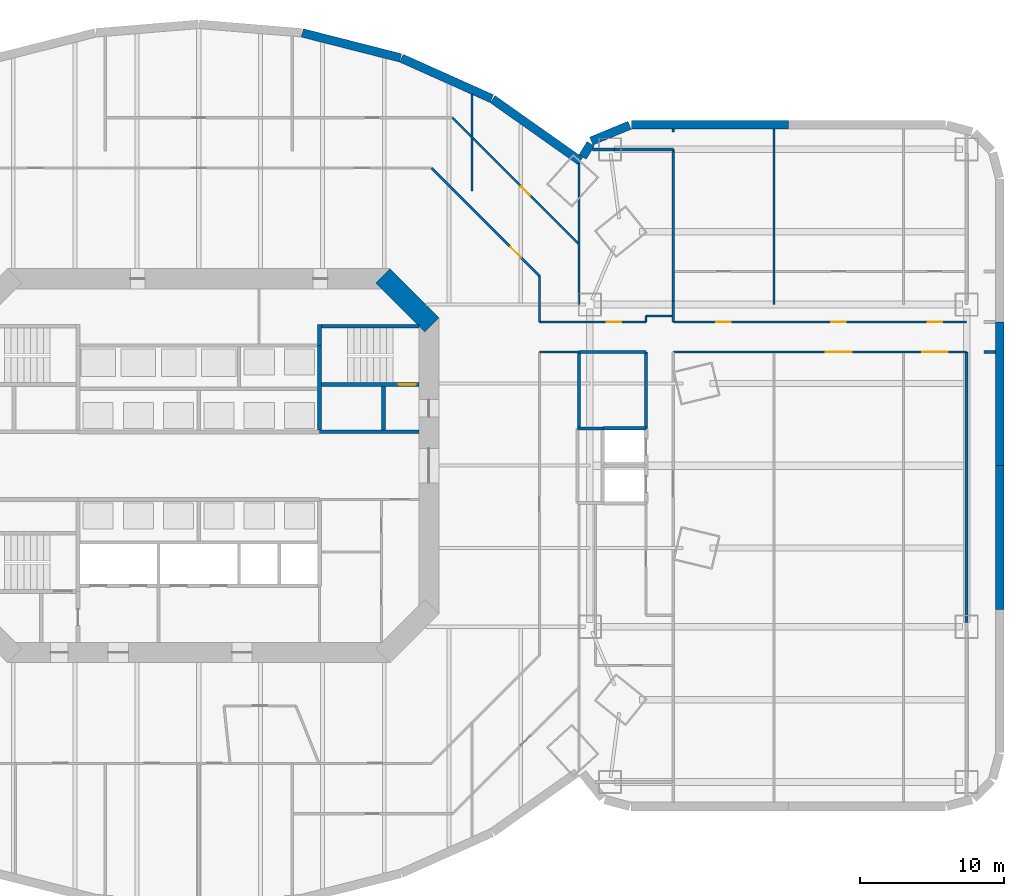
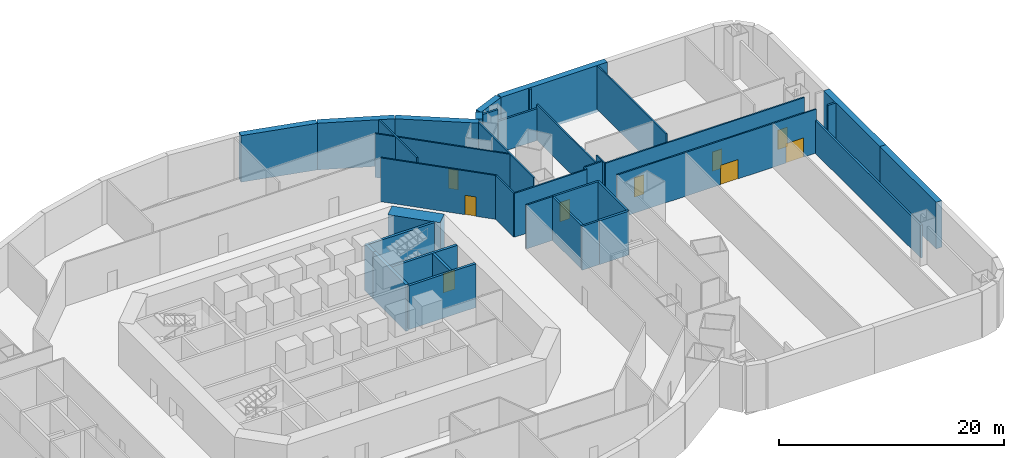
# One storey, part 8 of 11: 39 walls, 9 doors, 9 openings.
"""IFC4 building model written with IfcOpenShell, lengths in metres."""

from ifc_helpers import new_model, si_unit, direction, frame, frame_2d, origin, place, context, subcontext, project, spatial, rectangle, extrude, material, layer, layer_set, type_object, element, fill, save


model = new_model("IFC4")

# Units and contexts
model_context = context("Model", 3, precision=1e-05, world=origin(), true_north=direction((0.0, 1.0)))
body_context = subcontext(model_context, "Body", "Model", "MODEL_VIEW")
ifc_project = project(units=[si_unit("LENGTHUNIT", "METRE"), si_unit("AREAUNIT", "SQUARE_METRE"), si_unit("VOLUMEUNIT", "CUBIC_METRE"), si_unit("PLANEANGLEUNIT", "RADIAN"), si_unit("MASSUNIT", "GRAM", prefix="KILO")], contexts=[model_context])

# Site, building, storey
site_placement = place(None, origin())
site = spatial("IfcSite", under=ifc_project, at=site_placement, CompositionType="ELEMENT")
building_placement = place(site_placement, origin())
building = spatial("IfcBuilding", under=site, at=building_placement, Name="Marenthal Gate Tower", CompositionType="ELEMENT")
storey_placement = place(building_placement, frame((0.0, 0.0, -5.0)))
storey = spatial("IfcBuildingStorey", under=building, at=storey_placement, Name="B1", CompositionType="ELEMENT", Elevation=-5.0)

# Walls
ifc_material_1 = material(Name="Concrete 50 MPa", Category="concrete")
ifc_layer_1 = layer(ifc_material_1, 0.60009765625)
ifc_layer_set_1 = layer_set([ifc_layer_1], Name="BASEMENT WALL 600")
wall_type_1 = type_object("IfcWallType", Name="BASEMENT WALL 600", PredefinedType="SOLIDWALL", material=ifc_layer_set_1)
for number, where, z_axis, x_axis, name in (
    (1, (55.699951171875, -9.98974609375, -0.300048828125), (0.0, 0.0, 1.0), (0.0, 1.0, 0.0), "BW-B1-17"),
    (2, (55.699951171875, 0.00048828125, -0.300048828125), (0.0, 0.0, 1.0), (0.0, 1.0, 0.0), "BW-B1-18"),
):
    element("IfcWall", number, at=place(storey_placement, frame(where, z_axis=z_axis, x_axis=x_axis)), inside=storey, type_object=wall_type_1, Name=name, PredefinedType="SOLIDWALL", context=body_context, shape_type="SweptSolid", body=[
        extrude(rectangle(XDim=9.98974609375, YDim=0.60009765625, at=frame_2d((4.994873046875, 0.0))), origin(), (0.0, 0.0, 1.0), 5.050048828125),
    ])
wall_1_placement = place(storey_placement, frame((40.99951171875, 23.699951171875, -0.300048828125), z_axis=(0.0, 0.0, 1.0), x_axis=(-1.0, 0.0, 0.0)))
element("IfcWall", 3, at=wall_1_placement, inside=storey, type_object=wall_type_1, Name="BW-B1-24", PredefinedType="SOLIDWALL", context=body_context, shape_type="SweptSolid", body=[
    extrude(rectangle(XDim=10.92041015625, YDim=0.60009765625, at=frame_2d((5.460205078125, 0.0))), origin(), (0.0, 0.0, 1.0), 5.050048828125),
])
wall_2_placement = place(storey_placement, frame((29.966552734375, 23.677978515625, -0.300048828125), z_axis=(0.0, 0.0, 1.0), x_axis=(-0.924594107129, -0.380953720368, 0.0)))
element("IfcWall", 4, at=wall_2_placement, inside=storey, type_object=wall_type_1, Name="BW-B1-25", PredefinedType="SOLIDWALL", context=body_context, shape_type="SweptSolid", body=[
    extrude(rectangle(XDim=2.890380859375, YDim=0.60009765625, at=frame_2d((1.4453125, 0.0))), origin(), (0.0, 0.0, 1.0), 5.050048828125),
])
wall_3_placement = place(storey_placement, frame((27.253173828125, 22.3955078125, -0.300048828125), z_axis=(0.0, 0.0, 1.0), x_axis=(-0.517277311774, -0.855817844359, 0.0)))
element("IfcWall", 5, at=wall_3_placement, inside=storey, type_object=wall_type_1, Name="BW-B1-26", PredefinedType="SOLIDWALL", context=body_context, shape_type="SweptSolid", body=[
    extrude(rectangle(XDim=1.083251953125, YDim=0.60009765625, at=frame_2d((0.54150390625, 0.0))), origin(), (0.0, 0.0, 1.0), 5.050048828125),
])
wall_4_placement = place(storey_placement, frame((26.52587890625, 21.193115234375, -0.300048828125), z_axis=(0.0, 0.0, 1.0), x_axis=(-0.81677189091, 0.576960725023, 0.0)))
element("IfcWall", 6, at=wall_4_placement, inside=storey, type_object=wall_type_1, Name="BW-B1-27", PredefinedType="SOLIDWALL", context=body_context, shape_type="SweptSolid", body=[
    extrude(rectangle(XDim=7.459228515625, YDim=0.60009765625, at=frame_2d((3.7294921875, 0.0))), origin(), (0.0, 0.0, 1.0), 5.050048828125),
])
wall_5_placement = place(storey_placement, frame((20.384521484375, 25.52490234375, -0.300048828125), z_axis=(0.0, 0.0, 1.0), x_axis=(-0.912664491664, 0.408709585959, 0.0)))
element("IfcWall", 7, at=wall_5_placement, inside=storey, type_object=wall_type_1, Name="BW-B1-28", PredefinedType="SOLIDWALL", context=body_context, shape_type="SweptSolid", body=[
    extrude(rectangle(XDim=6.90283203125, YDim=0.60009765625, at=frame_2d((3.451416015625, 0.0))), origin(), (0.0, 0.0, 1.0), 5.050048828125),
])
wall_6_placement = place(storey_placement, frame((14.037353515625, 28.36279296875, -0.300048828125), z_axis=(0.0, 0.0, 1.0), x_axis=(-0.96919567172, 0.246292001332, 0.0)))
element("IfcWall", 8, at=wall_6_placement, inside=storey, type_object=wall_type_1, Name="BW-B1-29", PredefinedType="SOLIDWALL", context=body_context, shape_type="SweptSolid", body=[
    extrude(rectangle(XDim=7.061767578125, YDim=0.60009765625, at=frame_2d((3.53076171875, 0.0))), origin(), (0.0, 0.0, 1.0), 5.050048828125),
])
ifc_material_2 = material(Name="Concrete 60 MPa", Category="concrete")
ifc_layer_2 = layer(ifc_material_2, 1.39990234375)
ifc_layer_set_2 = layer_set([ifc_layer_2], Name="Core shear wall 1400")
wall_type_2 = type_object("IfcWallType", Name="Core shear wall 1400", PredefinedType="SHEAR", material=ifc_layer_set_2)
wall_7_placement = place(storey_placement, frame((16.205078125, 9.794921875, -0.300048828125), z_axis=(0.0, 0.0, 1.0), x_axis=(-0.707106781187, 0.707106781187, 0.0)))
element("IfcWall", 9, at=wall_7_placement, inside=storey, type_object=wall_type_2, Name="Core wall 03", PredefinedType="SHEAR", context=body_context, shape_type="SweptSolid", body=[
    extrude(rectangle(XDim=4.82275390625, YDim=1.39990234375, at=frame_2d((2.411376953125, 0.0))), origin(), (0.0, 0.0, 1.0), 5.050048828125),
])
ifc_material_3 = material(Name="Concrete 50 MPa", Category="concrete")
ifc_layer_3 = layer(ifc_material_3, 0.300048828125)
ifc_layer_set_3 = layer_set([ifc_layer_3], Name="Hoistway shear wall 300")
wall_type_3 = type_object("IfcWallType", Name="Hoistway shear wall 300", PredefinedType="SHEAR", material=ifc_layer_set_3)
wall_8_placement = place(storey_placement, frame((8.39990234375, 2.5, -0.300048828125), z_axis=(0.0, 0.0, 1.0), x_axis=(0.0, 1.0, 0.0)))
element("IfcWall", 10, at=wall_8_placement, inside=storey, type_object=wall_type_3, Name="Hoistway wall 43", PredefinedType="SHEAR", context=body_context, shape_type="SweptSolid", body=[
    extrude(rectangle(XDim=5.85009765625, YDim=0.300048828125, at=frame_2d((2.925048828125, 0.0))), origin(), (0.0, 0.0, 1.0), 5.050048828125),
])
ifc_material_4 = material(Name="Concrete 40 MPa", Category="concrete")
ifc_layer_4 = layer(ifc_material_4, 0.25)
ifc_layer_set_4 = layer_set([ifc_layer_4], Name="Hoistway wall 250")
wall_type_4 = type_object("IfcWallType", Name="Hoistway wall 250", PredefinedType="STANDARD", material=ifc_layer_set_4)
wall_9_placement = place(storey_placement, frame((28.10009765625, 2.60009765625, 0.0), z_axis=(0.0, 0.0, 1.0), x_axis=(1.0, 0.0, 0.0)))
element("IfcWall", 11, at=wall_9_placement, inside=storey, type_object=wall_type_4, Name="Hoistway wall 52", PredefinedType="STANDARD", context=body_context, shape_type="SweptSolid", body=[
    extrude(rectangle(XDim=3.0, YDim=0.25, at=frame_2d((1.5, 0.0))), origin(), (0.0, 0.0, 1.0), 4.75),
])

# Wall, openings, doors
ifc_material_5 = material(Name="Gypsum board on steel studs", Category="steel")
ifc_layer_5 = layer(ifc_material_5, 0.14990234375)
ifc_layer_set_5 = layer_set([ifc_layer_5], Name="Partition 150")
wall_type_5 = type_object("IfcWallType", Name="Partition 150", PredefinedType="PARTITIONING", material=ifc_layer_set_5)
wall_10_placement = place(storey_placement, frame((33.0, 7.89990234375, 0.0), z_axis=(0.0, 0.0, 1.0), x_axis=(1.0, 0.0, 0.0)))
wall_10 = element("IfcWall", 12, at=wall_10_placement, inside=storey, type_object=wall_type_5, Name="Partition wall 59", PredefinedType="PARTITIONING", context=body_context, shape_type="SweptSolid", body=[
    extrude(rectangle(XDim=20.405029296875, YDim=0.14990234375, at=frame_2d((10.20263671875, 0.0))), origin(), (0.0, 0.0, 1.0), 4.75),
])
opening_1_placement = place(wall_10_placement, frame((10.60009765625, 0.0, 0.0)))
opening_1 = element("IfcOpeningElement", 13, at=opening_1_placement, cuts=wall_10, Name="Opening D007.04", PredefinedType="OPENING", context=body_context, shape_type="SweptSolid", body=[
    extrude(rectangle(XDim=1.800048828125, YDim=2.10009765625, at=frame_2d((0.89990234375, 1.050048828125))), frame((0.0, 0.0849609375, 0.0), z_axis=(0.0, -1.0, 0.0), x_axis=(1.0, 0.0, 0.0)), (0.0, 0.0, 1.0), 0.169921875),
])
opening_2_placement = place(wall_10_placement, frame((17.300048828125, 0.0, 0.0)))
opening_2 = element("IfcOpeningElement", 14, at=opening_2_placement, cuts=wall_10, Name="Opening D007.05", PredefinedType="OPENING", context=body_context, shape_type="SweptSolid", body=[
    extrude(rectangle(XDim=1.800048828125, YDim=2.10009765625, at=frame_2d((0.89990234375, 1.050048828125))), frame((0.0, 0.0849609375, 0.0), z_axis=(0.0, -1.0, 0.0), x_axis=(1.0, 0.0, 0.0)), (0.0, 0.0, 1.0), 0.169921875),
])
ifc_material_6 = material(Name="Steel fire door", Category="steel")
door_type_1 = type_object("IfcDoorType", Name="Double fire door FD 45 1800 x 2100", OperationType="DOUBLE_DOOR_SINGLE_SWING", PredefinedType="DOOR", material=ifc_material_6)
door_1_placement = place(opening_1_placement, origin())
door_1 = element("IfcDoor", 15, at=door_1_placement, inside=storey, type_object=door_type_1, Name="Door D007.04", OperationType="DOUBLE_DOOR_SINGLE_SWING", OverallHeight=2.10009765625, OverallWidth=1.800048828125, PredefinedType="DOOR", context=body_context, shape_type="SweptSolid", body=[
    extrude(rectangle(XDim=1.800048828125, YDim=2.10009765625, at=frame_2d((0.89990234375, 1.050048828125))), frame((0.0, 0.02490234375, 0.0), z_axis=(0.0, -1.0, 0.0), x_axis=(1.0, 0.0, 0.0)), (0.0, 0.0, 1.0), 0.050048828125),
])
fill(opening_1, door_1)
door_2_placement = place(opening_2_placement, origin())
door_2 = element("IfcDoor", 16, at=door_2_placement, inside=storey, type_object=door_type_1, Name="Door D007.05", OperationType="DOUBLE_DOOR_SINGLE_SWING", OverallHeight=2.10009765625, OverallWidth=1.800048828125, PredefinedType="DOOR", context=body_context, shape_type="SweptSolid", body=[
    extrude(rectangle(XDim=1.800048828125, YDim=2.10009765625, at=frame_2d((0.89990234375, 1.050048828125))), frame((0.0, 0.02490234375, 0.0), z_axis=(0.0, -1.0, 0.0), x_axis=(1.0, 0.0, 0.0)), (0.0, 0.0, 1.0), 0.050048828125),
])
fill(opening_2, door_2)

# Wall
wall_11_placement = place(storey_placement, frame((23.699951171875, 7.89990234375, 0.0), z_axis=(0.0, 0.0, 1.0), x_axis=(1.0, 0.0, 0.0)))
element("IfcWall", 17, at=wall_11_placement, inside=storey, type_object=wall_type_5, Name="Partition wall 86", PredefinedType="PARTITIONING", context=body_context, shape_type="SweptSolid", body=[
    extrude(rectangle(XDim=2.755126953125, YDim=0.14990234375, at=frame_2d((1.37744140625, 0.0))), origin(), (0.0, 0.0, 1.0), 4.75),
])

# Wall, opening, door
wall_12_placement = place(storey_placement, frame((23.699951171875, 10.0, 0.0), z_axis=(0.0, 0.0, 1.0), x_axis=(1.0, 0.0, 0.0)))
wall_12 = element("IfcWall", 18, at=wall_12_placement, inside=storey, type_object=wall_type_5, Name="Partition wall 87", PredefinedType="PARTITIONING", context=body_context, shape_type="SweptSolid", body=[
    extrude(rectangle(XDim=7.400146484375, YDim=0.14990234375, at=frame_2d((3.7001953125, 0.0))), origin(), (0.0, 0.0, 1.0), 4.75),
])
opening_3_placement = place(wall_12_placement, frame((4.675048828125, 0.0, 0.0)))
opening_3 = element("IfcOpeningElement", 19, at=opening_3_placement, cuts=wall_12, Name="Opening D012.13", PredefinedType="OPENING", context=body_context, shape_type="SweptSolid", body=[
    extrude(rectangle(XDim=1.0, YDim=2.10009765625, at=frame_2d((0.5, 1.050048828125))), frame((0.0, 0.0849609375, 0.0), z_axis=(0.0, -1.0, 0.0), x_axis=(1.0, 0.0, 0.0)), (0.0, 0.0, 1.0), 0.169921875),
])
ifc_material_7 = material(Name="Timber door", Category="wood")
door_type_2 = type_object("IfcDoorType", Name="Door 1000 x 2100", OperationType="NOTDEFINED", PredefinedType="DOOR", material=ifc_material_7)
door_3_placement = place(opening_3_placement, origin())
door_3 = element("IfcDoor", 20, at=door_3_placement, inside=storey, type_object=door_type_2, Name="Door D012.13", OperationType="SINGLE_SWING_RIGHT", OverallHeight=2.10009765625, OverallWidth=1.0, PredefinedType="DOOR", context=body_context, shape_type="SweptSolid", body=[
    extrude(rectangle(XDim=1.0, YDim=2.10009765625, at=frame_2d((0.5, 1.050048828125))), frame((0.0, 0.02490234375, 0.0), z_axis=(0.0, -1.0, 0.0), x_axis=(1.0, 0.0, 0.0)), (0.0, 0.0, 1.0), 0.050048828125),
])
fill(opening_3, door_3)

# Wall, openings, doors
wall_13_placement = place(storey_placement, frame((33.0, 10.0, 0.0), z_axis=(0.0, 0.0, 1.0), x_axis=(1.0, 0.0, 0.0)))
wall_13 = element("IfcWall", 21, at=wall_13_placement, inside=storey, type_object=wall_type_5, Name="Partition wall 88", PredefinedType="PARTITIONING", context=body_context, shape_type="SweptSolid", body=[
    extrude(rectangle(XDim=20.405029296875, YDim=0.14990234375, at=frame_2d((10.20263671875, 0.0))), origin(), (0.0, 0.0, 1.0), 4.75),
])
opening_4_placement = place(wall_13_placement, frame((3.0, 0.0, 0.0)))
opening_4 = element("IfcOpeningElement", 22, at=opening_4_placement, cuts=wall_13, Name="Opening D012.14", PredefinedType="OPENING", context=body_context, shape_type="SweptSolid", body=[
    extrude(rectangle(XDim=1.0, YDim=2.10009765625, at=frame_2d((0.5, 1.050048828125))), frame((0.0, 0.0849609375, 0.0), z_axis=(0.0, -1.0, 0.0), x_axis=(1.0, 0.0, 0.0)), (0.0, 0.0, 1.0), 0.169921875),
])
opening_5_placement = place(wall_13_placement, frame((11.0, 0.0, 0.0)))
opening_5 = element("IfcOpeningElement", 23, at=opening_5_placement, cuts=wall_13, Name="Opening D012.15", PredefinedType="OPENING", context=body_context, shape_type="SweptSolid", body=[
    extrude(rectangle(XDim=1.0, YDim=2.10009765625, at=frame_2d((0.5, 1.050048828125))), frame((0.0, 0.0849609375, 0.0), z_axis=(0.0, -1.0, 0.0), x_axis=(1.0, 0.0, 0.0)), (0.0, 0.0, 1.0), 0.169921875),
])
opening_6_placement = place(wall_13_placement, frame((17.699951171875, 0.0, 0.0)))
opening_6 = element("IfcOpeningElement", 24, at=opening_6_placement, cuts=wall_13, Name="Opening D012.16", PredefinedType="OPENING", context=body_context, shape_type="SweptSolid", body=[
    extrude(rectangle(XDim=1.0, YDim=2.10009765625, at=frame_2d((0.5, 1.050048828125))), frame((0.0, 0.0849609375, 0.0), z_axis=(0.0, -1.0, 0.0), x_axis=(1.0, 0.0, 0.0)), (0.0, 0.0, 1.0), 0.169921875),
])
door_4_placement = place(opening_4_placement, origin())
door_4 = element("IfcDoor", 25, at=door_4_placement, inside=storey, type_object=door_type_2, Name="Door D012.14", OperationType="SINGLE_SWING_RIGHT", OverallHeight=2.10009765625, OverallWidth=1.0, PredefinedType="DOOR", context=body_context, shape_type="SweptSolid", body=[
    extrude(rectangle(XDim=1.0, YDim=2.10009765625, at=frame_2d((0.5, 1.050048828125))), frame((0.0, 0.02490234375, 0.0), z_axis=(0.0, -1.0, 0.0), x_axis=(1.0, 0.0, 0.0)), (0.0, 0.0, 1.0), 0.050048828125),
])
fill(opening_4, door_4)
door_5_placement = place(opening_5_placement, origin())
door_5 = element("IfcDoor", 26, at=door_5_placement, inside=storey, type_object=door_type_2, Name="Door D012.15", OperationType="SINGLE_SWING_RIGHT", OverallHeight=2.10009765625, OverallWidth=1.0, PredefinedType="DOOR", context=body_context, shape_type="SweptSolid", body=[
    extrude(rectangle(XDim=1.0, YDim=2.10009765625, at=frame_2d((0.5, 1.050048828125))), frame((0.0, 0.02490234375, 0.0), z_axis=(0.0, -1.0, 0.0), x_axis=(1.0, 0.0, 0.0)), (0.0, 0.0, 1.0), 0.050048828125),
])
fill(opening_5, door_5)
door_6_placement = place(opening_6_placement, origin())
door_6 = element("IfcDoor", 27, at=door_6_placement, inside=storey, type_object=door_type_2, Name="Door D012.16", OperationType="SINGLE_SWING_RIGHT", OverallHeight=2.10009765625, OverallWidth=1.0, PredefinedType="DOOR", context=body_context, shape_type="SweptSolid", body=[
    extrude(rectangle(XDim=1.0, YDim=2.10009765625, at=frame_2d((0.5, 1.050048828125))), frame((0.0, 0.02490234375, 0.0), z_axis=(0.0, -1.0, 0.0), x_axis=(1.0, 0.0, 0.0)), (0.0, 0.0, 1.0), 0.050048828125),
])
fill(opening_6, door_6)

# Walls
wall_14_placement = place(storey_placement, frame((31.10009765625, 10.39990234375, 0.0), z_axis=(0.0, 0.0, 1.0), x_axis=(1.0, 0.0, 0.0)))
element("IfcWall", 28, at=wall_14_placement, inside=storey, type_object=wall_type_5, Name="Partition wall 89", PredefinedType="PARTITIONING", context=body_context, shape_type="SweptSolid", body=[
    extrude(rectangle(XDim=1.89990234375, YDim=0.14990234375, at=frame_2d((0.949951171875, 0.0))), origin(), (0.0, 0.0, 1.0), 4.75),
])
wall_15_placement = place(storey_placement, frame((40.0, 11.199951171875, 0.0), z_axis=(0.0, 0.0, 1.0), x_axis=(0.0, 1.0, 0.0)))
element("IfcWall", 29, at=wall_15_placement, inside=storey, type_object=wall_type_5, Name="Partition wall 96", PredefinedType="PARTITIONING", context=body_context, shape_type="SweptSolid", body=[
    extrude(rectangle(XDim=12.2099609375, YDim=0.14990234375, at=frame_2d((6.10498046875, 0.0))), origin(), (0.0, 0.0, 1.0), 4.75),
])
wall_16_placement = place(storey_placement, frame((33.0, 9.9951171875, 0.0), z_axis=(0.0, 0.0, 1.0), x_axis=(0.0, 1.0, 0.0)))
element("IfcWall", 30, at=wall_16_placement, inside=storey, type_object=wall_type_5, Name="Partition wall 97", PredefinedType="PARTITIONING", context=body_context, shape_type="SweptSolid", body=[
    extrude(rectangle(XDim=1.44482421875, YDim=0.14990234375, at=frame_2d((0.722412109375, 0.0))), origin(), (0.0, 0.0, 1.0), 4.75),
])
wall_17_placement = place(storey_placement, frame((33.0, 11.43994140625, 0.0), z_axis=(0.0, 0.0, 1.0), x_axis=(0.0, 1.0, 0.0)))
element("IfcWall", 31, at=wall_17_placement, inside=storey, type_object=wall_type_5, Name="Partition wall 158", PredefinedType="PARTITIONING", context=body_context, shape_type="SweptSolid", body=[
    extrude(rectangle(XDim=10.56005859375, YDim=0.14990234375, at=frame_2d((5.280029296875, 0.0))), origin(), (0.0, 0.0, 1.0), 3.845947265625),
])
wall_18_placement = place(storey_placement, frame((31.10009765625, 9.9951171875, 0.0), z_axis=(0.0, 0.0, 1.0), x_axis=(0.0, 1.0, 0.0)))
element("IfcWall", 32, at=wall_18_placement, inside=storey, type_object=wall_type_5, Name="Partition wall 99", PredefinedType="PARTITIONING", context=body_context, shape_type="SweptSolid", body=[
    extrude(rectangle(XDim=0.40478515625, YDim=0.14990234375, at=frame_2d((0.202392578125, 0.0))), origin(), (0.0, 0.0, 1.0), 4.75),
])
wall_19_placement = place(storey_placement, frame((26.449951171875, 11.199951171875, 0.0), z_axis=(0.0, 0.0, 1.0), x_axis=(0.0, 1.0, 0.0)))
element("IfcWall", 33, at=wall_19_placement, inside=storey, type_object=wall_type_5, Name="Partition wall 02", PredefinedType="PARTITIONING", context=body_context, shape_type="SweptSolid", body=[
    extrude(rectangle(XDim=9.8623046875, YDim=0.14990234375, at=frame_2d((4.93115234375, 0.0))), origin(), (0.0, 0.0, 1.0), 4.75),
])
wall_20_placement = place(storey_placement, frame((23.699951171875, 9.9951171875, 0.0), z_axis=(0.0, 0.0, 1.0), x_axis=(0.0, 1.0, 0.0)))
element("IfcWall", 34, at=wall_20_placement, inside=storey, type_object=wall_type_5, Name="Partition wall 04", PredefinedType="PARTITIONING", context=body_context, shape_type="SweptSolid", body=[
    extrude(rectangle(XDim=3.1943359375, YDim=0.14990234375, at=frame_2d((1.59716796875, 0.0))), origin(), (0.0, 0.0, 1.0), 4.75),
])
wall_21_placement = place(storey_placement, frame((19.0, 19.08935546875, 0.0), z_axis=(0.0, 0.0, 1.0), x_axis=(0.0, 1.0, 0.0)))
element("IfcWall", 35, at=wall_21_placement, inside=storey, type_object=wall_type_5, Name="Partition wall 06", PredefinedType="PARTITIONING", context=body_context, shape_type="SweptSolid", body=[
    extrude(rectangle(XDim=6.745849609375, YDim=0.14990234375, at=frame_2d((3.373046875, 0.0))), origin(), (0.0, 0.0, 1.0), 4.75),
])

# Wall, opening, door
wall_22_placement = place(storey_placement, frame((26.449951171875, 15.38916015625, 0.0), z_axis=(0.0, 0.0, 1.0), x_axis=(-0.707106781187, 0.707106781187, 0.0)))
wall_22 = element("IfcWall", 36, at=wall_22_placement, inside=storey, type_object=wall_type_5, Name="Partition wall 12", PredefinedType="PARTITIONING", context=body_context, shape_type="SweptSolid", body=[
    extrude(rectangle(XDim=12.46044921875, YDim=0.14990234375, at=frame_2d((6.230224609375, 0.0))), origin(), (0.0, 0.0, 1.0), 4.75),
])
opening_7_placement = place(wall_22_placement, frame((4.81787109375, 0.0, 0.0)))
opening_7 = element("IfcOpeningElement", 37, at=opening_7_placement, cuts=wall_22, Name="Opening D011.08", PredefinedType="OPENING", context=body_context, shape_type="SweptSolid", body=[
    extrude(rectangle(XDim=0.89990234375, YDim=2.10009765625, at=frame_2d((0.449951171875, 1.050048828125))), frame((0.0, 0.0849609375, 0.0), z_axis=(0.0, -1.0, 0.0), x_axis=(1.0, 0.0, 0.0)), (0.0, 0.0, 1.0), 0.169921875),
])
ifc_material_8 = material(Name="Timber door", Category="wood")
door_type_3 = type_object("IfcDoorType", Name="Door 900 x 2100", OperationType="NOTDEFINED", PredefinedType="DOOR", material=ifc_material_8)
door_7_placement = place(opening_7_placement, frame((0.89990234375, 0.0, 0.0), z_axis=(0.0, 0.0, 1.0), x_axis=(-1.0, 0.0, 0.0)))
door_7 = element("IfcDoor", 38, at=door_7_placement, inside=storey, type_object=door_type_3, Name="Door D011.08", OperationType="SINGLE_SWING_LEFT", OverallHeight=2.10009765625, OverallWidth=0.89990234375, PredefinedType="DOOR", context=body_context, shape_type="SweptSolid", body=[
    extrude(rectangle(XDim=0.89990234375, YDim=2.10009765625, at=frame_2d((0.449951171875, 1.050048828125))), frame((0.0, 0.02490234375, 0.0), z_axis=(0.0, -1.0, 0.0), x_axis=(1.0, 0.0, 0.0)), (0.0, 0.0, 1.0), 0.050048828125),
])
fill(opening_7, door_7)

wall_23_placement = place(storey_placement, frame((23.699951171875, 13.189453125, 0.0), z_axis=(0.0, 0.0, 1.0), x_axis=(-0.707106781187, 0.707106781187, 0.0)))
wall_23 = element("IfcWall", 39, at=wall_23_placement, inside=storey, type_object=wall_type_5, Name="Partition wall 13", PredefinedType="PARTITIONING", context=body_context, shape_type="SweptSolid", body=[
    extrude(rectangle(XDim=10.621337890625, YDim=0.14990234375, at=frame_2d((5.310546875, 0.0))), origin(), (0.0, 0.0, 1.0), 4.75),
])
opening_8_placement = place(wall_23_placement, frame((1.84765625, 0.0, 0.0)))
opening_8 = element("IfcOpeningElement", 40, at=opening_8_placement, cuts=wall_23, Name="Opening D012.12", PredefinedType="OPENING", context=body_context, shape_type="SweptSolid", body=[
    extrude(rectangle(XDim=1.0, YDim=2.10009765625, at=frame_2d((0.5, 1.050048828125))), frame((0.0, 0.0849609375, 0.0), z_axis=(0.0, -1.0, 0.0), x_axis=(1.0, 0.0, 0.0)), (0.0, 0.0, 1.0), 0.169921875),
])
door_8_placement = place(opening_8_placement, frame((1.0, 0.0, 0.0), z_axis=(0.0, 0.0, 1.0), x_axis=(-1.0, 0.0, 0.0)))
door_8 = element("IfcDoor", 41, at=door_8_placement, inside=storey, type_object=door_type_2, Name="Door D012.12", OperationType="SINGLE_SWING_LEFT", OverallHeight=2.10009765625, OverallWidth=1.0, PredefinedType="DOOR", context=body_context, shape_type="SweptSolid", body=[
    extrude(rectangle(XDim=1.0, YDim=2.10009765625, at=frame_2d((0.5, 1.050048828125))), frame((0.0, 0.02490234375, 0.0), z_axis=(0.0, -1.0, 0.0), x_axis=(1.0, 0.0, 0.0)), (0.0, 0.0, 1.0), 0.050048828125),
])
fill(opening_8, door_8)

# Walls
ifc_material_9 = material(Name="Gypsum board on steel studs", Category="steel")
ifc_layer_6 = layer(ifc_material_9, 0.199951171875)
ifc_layer_set_6 = layer_set([ifc_layer_6], Name="Partition 200")
wall_type_6 = type_object("IfcWallType", Name="Partition 200", PredefinedType="PARTITIONING", material=ifc_layer_set_6)
wall_24_placement = place(storey_placement, frame((26.330078125, 2.60009765625, 0.0), z_axis=(0.0, 0.0, 1.0), x_axis=(1.0, 0.0, 0.0)))
element("IfcWall", 42, at=wall_24_placement, inside=storey, type_object=wall_type_6, Name="Partition wall 22", PredefinedType="PARTITIONING", context=body_context, shape_type="SweptSolid", body=[
    extrude(rectangle(XDim=1.77001953125, YDim=0.199951171875, at=frame_2d((0.885009765625, 0.0))), origin(), (0.0, 0.0, 1.0), 4.75),
])
wall_25_placement = place(storey_placement, frame((26.445068359375, 7.89990234375, 0.0), z_axis=(0.0, 0.0, 1.0), x_axis=(1.0, 0.0, 0.0)))
element("IfcWall", 43, at=wall_25_placement, inside=storey, type_object=wall_type_6, Name="Partition wall 24", PredefinedType="PARTITIONING", context=body_context, shape_type="SweptSolid", body=[
    extrude(rectangle(XDim=4.655029296875, YDim=0.199951171875, at=frame_2d((2.32763671875, 0.0))), origin(), (0.0, 0.0, 1.0), 4.75),
])
wall_26_placement = place(storey_placement, frame((54.594970703125, 7.89990234375, 0.0), z_axis=(0.0, 0.0, 1.0), x_axis=(1.0, 0.0, 0.0)))
element("IfcWall", 44, at=wall_26_placement, inside=storey, type_object=wall_type_6, Name="Partition wall 25", PredefinedType="PARTITIONING", context=body_context, shape_type="SweptSolid", body=[
    extrude(rectangle(XDim=0.804931640625, YDim=0.199951171875, at=frame_2d((0.40234375, 0.0))), origin(), (0.0, 0.0, 1.0), 4.75),
])
wall_27_placement = place(storey_placement, frame((27.371826171875, 22.0, 0.0), z_axis=(0.0, 0.0, 1.0), x_axis=(1.0, 0.0, 0.0)))
element("IfcWall", 45, at=wall_27_placement, inside=storey, type_object=wall_type_6, Name="Partition wall 30", PredefinedType="PARTITIONING", context=body_context, shape_type="SweptSolid", body=[
    extrude(rectangle(XDim=1.528076171875, YDim=0.199951171875, at=frame_2d((0.76416015625, 0.0))), origin(), (0.0, 0.0, 1.0), 4.75),
])
wall_28_placement = place(storey_placement, frame((28.89990234375, 22.0, 0.0), z_axis=(0.0, 0.0, 1.0), x_axis=(1.0, 0.0, 0.0)))
element("IfcWall", 46, at=wall_28_placement, inside=storey, type_object=wall_type_6, Name="Partition wall 162", PredefinedType="PARTITIONING", context=body_context, shape_type="SweptSolid", body=[
    extrude(rectangle(XDim=4.10009765625, YDim=0.199951171875, at=frame_2d((2.050048828125, 0.0))), origin(), (0.0, 0.0, 1.0), 3.449951171875),
])
wall_29_placement = place(storey_placement, frame((53.39990234375, -10.89990234375, 0.0), z_axis=(0.0, 0.0, 1.0), x_axis=(0.0, 1.0, 0.0)))
element("IfcWall", 47, at=wall_29_placement, inside=storey, type_object=wall_type_6, Name="Partition wall 165", PredefinedType="PARTITIONING", context=body_context, shape_type="SweptSolid", body=[
    extrude(rectangle(XDim=18.7998046875, YDim=0.199951171875, at=frame_2d((9.39990234375, 0.0))), origin(), (0.0, 0.0, 1.0), 3.550048828125),
])
wall_30_placement = place(storey_placement, frame((33.0, 23.195068359375, 0.0), z_axis=(0.0, 0.0, 1.0), x_axis=(0.0, 1.0, 0.0)))
element("IfcWall", 48, at=wall_30_placement, inside=storey, type_object=wall_type_6, Name="Partition wall 34", PredefinedType="PARTITIONING", context=body_context, shape_type="SweptSolid", body=[
    extrude(rectangle(XDim=0.21484375, YDim=0.199951171875, at=frame_2d((0.107421875, 0.0))), origin(), (0.0, 0.0, 1.0), 4.75),
])
wall_31_placement = place(storey_placement, frame((31.10009765625, 2.594970703125, 0.0), z_axis=(0.0, 0.0, 1.0), x_axis=(0.0, 1.0, 0.0)))
element("IfcWall", 49, at=wall_31_placement, inside=storey, type_object=wall_type_6, Name="Partition wall 35", PredefinedType="PARTITIONING", context=body_context, shape_type="SweptSolid", body=[
    extrude(rectangle(XDim=5.31005859375, YDim=0.199951171875, at=frame_2d((2.655029296875, 0.0))), origin(), (0.0, 0.0, 1.0), 4.75),
])
wall_32_placement = place(storey_placement, frame((26.449951171875, 2.60009765625, 0.0), z_axis=(0.0, 0.0, 1.0), x_axis=(0.0, 1.0, 0.0)))
element("IfcWall", 50, at=wall_32_placement, inside=storey, type_object=wall_type_6, Name="Partition wall 36", PredefinedType="PARTITIONING", context=body_context, shape_type="SweptSolid", body=[
    extrude(rectangle(XDim=5.2998046875, YDim=0.199951171875, at=frame_2d((2.64990234375, 0.0))), origin(), (0.0, 0.0, 1.0), 4.75),
])
ifc_material_10 = material(Name="Concrete 40 MPa", Category="concrete")
ifc_layer_7 = layer(ifc_material_10, 0.25)
ifc_layer_set_7 = layer_set([ifc_layer_7], Name="Stair enclosure wall 250")
wall_type_7 = type_object("IfcWallType", Name="Stair enclosure wall 250", PredefinedType="STANDARD", material=ifc_layer_set_7)
wall_33_placement = place(storey_placement, frame((8.39990234375, 2.35009765625, 0.0), z_axis=(0.0, 0.0, 1.0), x_axis=(1.0, 0.0, 0.0)))
element("IfcWall", 51, at=wall_33_placement, inside=storey, type_object=wall_type_7, Name="Stair wall 20", PredefinedType="STANDARD", context=body_context, shape_type="SweptSolid", body=[
    extrude(rectangle(XDim=6.900146484375, YDim=0.25, at=frame_2d((3.4501953125, 0.0))), origin(), (0.0, 0.0, 1.0), 4.75),
])
wall_34_placement = place(storey_placement, frame((12.85009765625, 2.47509765625, 0.0), z_axis=(0.0, 0.0, 1.0), x_axis=(0.0, 1.0, 0.0)))
element("IfcWall", 52, at=wall_34_placement, inside=storey, type_object=wall_type_7, Name="Stair wall 46", PredefinedType="STANDARD", context=body_context, shape_type="SweptSolid", body=[
    extrude(rectangle(XDim=3.0498046875, YDim=0.25, at=frame_2d((1.52490234375, 0.0))), origin(), (0.0, 0.0, 1.0), 4.75),
])

# Wall, opening, door
ifc_material_11 = material(Name="Concrete 50 MPa", Category="concrete")
ifc_layer_8 = layer(ifc_material_11, 0.25)
ifc_layer_set_8 = layer_set([ifc_layer_8], Name="Stair shear wall 250")
wall_type_8 = type_object("IfcWallType", Name="Stair shear wall 250", PredefinedType="SHEAR", material=ifc_layer_set_8)
wall_35_placement = place(storey_placement, frame((8.550048828125, 5.64990234375, -0.300048828125), z_axis=(0.0, 0.0, 1.0), x_axis=(1.0, 0.0, 0.0)))
wall_35 = element("IfcWall", 53, at=wall_35_placement, inside=storey, type_object=wall_type_8, Name="Stair wall 23", PredefinedType="SHEAR", context=body_context, shape_type="SweptSolid", body=[
    extrude(rectangle(XDim=6.75, YDim=0.25, at=frame_2d((3.375, 0.0))), origin(), (0.0, 0.0, 1.0), 5.050048828125),
])
opening_9_placement = place(wall_35_placement, frame((5.35009765625, 0.0, 0.300048828125)))
opening_9 = element("IfcOpeningElement", 54, at=opening_9_placement, cuts=wall_35, Name="Opening D001.02", PredefinedType="OPENING", context=body_context, shape_type="SweptSolid", body=[
    extrude(rectangle(XDim=1.199951171875, YDim=2.10009765625, at=frame_2d((0.60009765625, 1.050048828125))), frame((0.0, 0.135009765625, 0.0), z_axis=(0.0, -1.0, 0.0), x_axis=(1.0, 0.0, 0.0)), (0.0, 0.0, 1.0), 0.27001953125),
])
ifc_material_12 = material(Name="Steel fire door", Category="steel")
door_type_4 = type_object("IfcDoorType", Name="Fire door FD 90 1200 x 2100", OperationType="NOTDEFINED", PredefinedType="DOOR", material=ifc_material_12)
door_9_placement = place(opening_9_placement, origin())
door_9 = element("IfcDoor", 55, at=door_9_placement, inside=storey, type_object=door_type_4, Name="Door D001.02", OperationType="SINGLE_SWING_RIGHT", OverallHeight=2.10009765625, OverallWidth=1.199951171875, PredefinedType="DOOR", context=body_context, shape_type="SweptSolid", body=[
    extrude(rectangle(XDim=1.199951171875, YDim=2.10009765625, at=frame_2d((0.60009765625, 1.050048828125))), frame((0.0, 0.02490234375, 0.0), z_axis=(0.0, -1.0, 0.0), x_axis=(1.0, 0.0, 0.0)), (0.0, 0.0, 1.0), 0.050048828125),
])
fill(opening_9, door_9)

# Walls
wall_36_placement = place(storey_placement, frame((8.550048828125, 9.699951171875, -0.300048828125), z_axis=(0.0, 0.0, 1.0), x_axis=(1.0, 0.0, 0.0)))
element("IfcWall", 56, at=wall_36_placement, inside=storey, type_object=wall_type_8, Name="Stair wall 26", PredefinedType="SHEAR", context=body_context, shape_type="SweptSolid", body=[
    extrude(rectangle(XDim=6.75, YDim=0.25, at=frame_2d((3.375, 0.0))), origin(), (0.0, 0.0, 1.0), 5.050048828125),
])
ifc_material_13 = material(Name="Concrete 50 MPa", Category="concrete")
ifc_layer_9 = layer(ifc_material_13, 0.300048828125)
ifc_layer_set_9 = layer_set([ifc_layer_9], Name="Stair shear wall 300")
wall_type_9 = type_object("IfcWallType", Name="Stair shear wall 300", PredefinedType="SHEAR", material=ifc_layer_set_9)
wall_37_placement = place(storey_placement, frame((8.39990234375, 8.35009765625, -0.300048828125), z_axis=(0.0, 0.0, 1.0), x_axis=(0.0, 1.0, 0.0)))
element("IfcWall", 57, at=wall_37_placement, inside=storey, type_object=wall_type_9, Name="Stair wall 44", PredefinedType="SHEAR", context=body_context, shape_type="SweptSolid", body=[
    extrude(rectangle(XDim=1.474853515625, YDim=0.300048828125, at=frame_2d((0.7373046875, 0.0))), origin(), (0.0, 0.0, 1.0), 5.050048828125),
])

save(model, "model.ifc")
